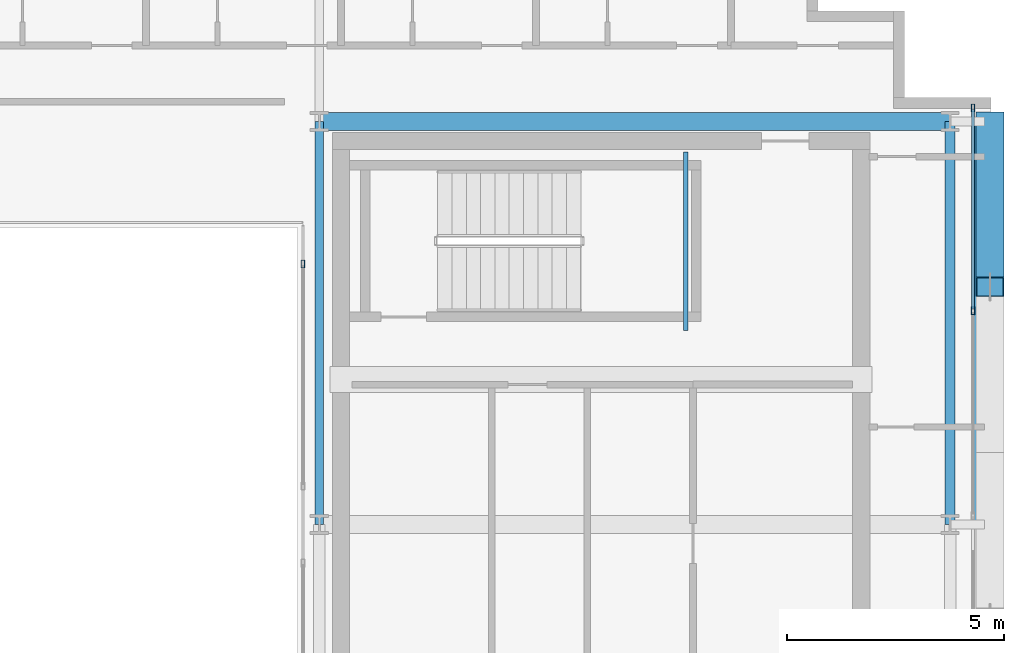
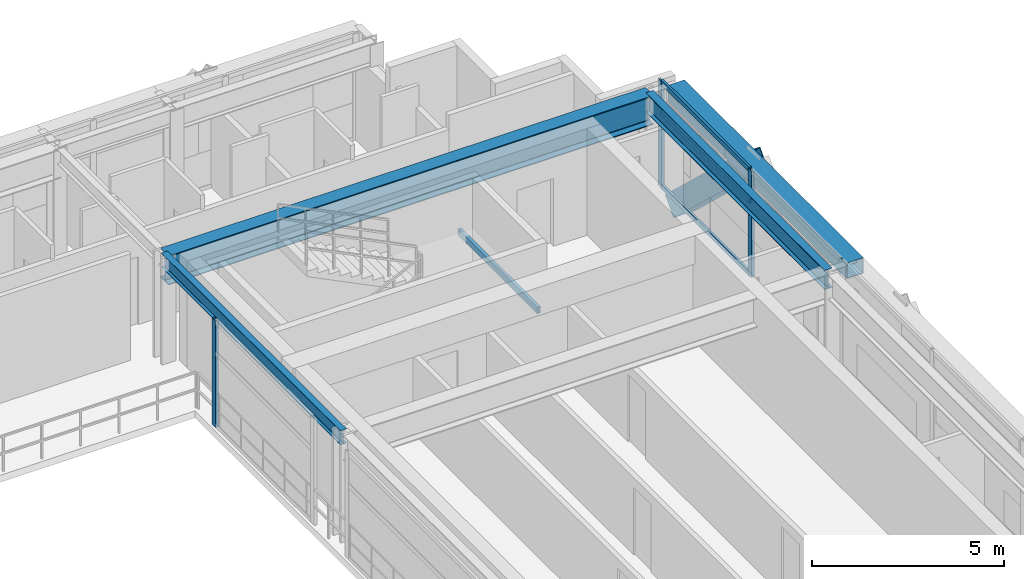
# One storey, part 14 of 29: 7 members, 5 beams, 2 elements without a shape of their own.
"""IFC4 building model written with IfcOpenShell, lengths in metres."""

from ifc_helpers import new_model, si_unit, direction, frame, origin, origin_2d, place, context, subcontext, project, spatial, hollow_rectangle, i_section, extrude, source, transform, mapped, material, layer, layer_set, material_profile, profile_set, type_object, element, aggregate, save


model = new_model("IFC4")

# Units and contexts
model_context = context("Model", 3, precision=1e-05, world=origin(), true_north=direction((0.0, 1.0)))
body_context = subcontext(model_context, "Body", "Model", "MODEL_VIEW")
ifc_project = project(units=[si_unit("LENGTHUNIT", "METRE"), si_unit("AREAUNIT", "SQUARE_METRE"), si_unit("VOLUMEUNIT", "CUBIC_METRE"), si_unit("PLANEANGLEUNIT", "RADIAN"), si_unit("MASSUNIT", "GRAM", prefix="KILO")], contexts=[model_context])

# Site, building, storey
site_placement = place(None, origin())
site = spatial("IfcSite", under=ifc_project, at=site_placement, CompositionType="ELEMENT")
building_placement = place(site_placement, origin())
building = spatial("IfcBuilding", under=site, at=building_placement, Name="Ocotamira Hotel", CompositionType="ELEMENT")
storey_placement = place(building_placement, frame((0.0, 0.0, 236.39990234375)))
storey = spatial("IfcBuildingStorey", under=building, at=storey_placement, Name="L59", CompositionType="ELEMENT", Elevation=236.39990234375)

# Beams
ifc_material_1 = material(Name="Steel ASTM A500 Grade C", Category="steel")
ifc_material_profile_1 = material_profile(ifc_material_1, hollow_rectangle(XDim=0.10009765625, YDim=0.199951171875, WallThickness=0.008056640625, at=origin_2d()), Name="HSS200X100X8")
ifc_profile_set_1 = profile_set([ifc_material_profile_1], Name="Steel ASTM A500 Grade C")
beam_type_1 = type_object("IfcBeamType", Name="BM-STLDG-HSS200", PredefinedType="BEAM", material=ifc_profile_set_1)
shared_shape_1 = source(origin(), body_context, "Body", "SweptSolid", [
    extrude(hollow_rectangle(XDim=0.10009765625, YDim=0.199951171875, WallThickness=0.008056640625, at=origin_2d()), origin(), (0.0, 0.0, 1.0), 4.1201171875),
])
beam_1_placement = place(storey_placement, frame((48.949951171875, 32.6298828125, 1.5), z_axis=(0.0, 1.0, 0.0), x_axis=(-1.0, 0.0, 0.0)))
element("IfcBeam", 1, at=beam_1_placement, inside=storey, type_object=beam_type_1, Name="L59 Stair ST-4 Landing Bearer 1", PredefinedType="BEAM", context=body_context, shape_type="MappedRepresentation", body=[
    mapped(shared_shape_1, transform((0.0, 0.0, 0.0), scale=1.0)),
])
ifc_material_2 = material(Name="Steel ASTM A992 Grade 50", Category="steel")
ifc_material_profile_2 = material_profile(ifc_material_2, i_section(OverallWidth=0.41796875, OverallDepth=0.927001953125, WebThickness=0.019287109375, FlangeThickness=0.031982421875, FilletRadius=0.02392578125, at=origin_2d()), Name="W36X231")
ifc_profile_set_2 = profile_set([ifc_material_profile_2], Name="Steel ASTM A992 Grade 50")
beam_type_2 = type_object("IfcBeamType", Name="BM-GIRD-W36X231", PredefinedType="BEAM", material=ifc_profile_set_2)
shared_shape_2 = source(origin(), body_context, "Body", "SweptSolid", [
    extrude(i_section(OverallWidth=0.41796875, OverallDepth=0.927001953125, WebThickness=0.019287109375, FlangeThickness=0.031982421875, FilletRadius=0.02392578125, at=origin_2d()), origin(), (0.0, 0.0, 1.0), 14.550048828125),
])
beam_2_placement = place(storey_placement, frame((40.5, 37.449951171875, 2.91650390625), z_axis=(1.0, 0.0, 0.0), x_axis=(0.0, 1.0, 0.0)))
element("IfcBeam", 2, at=beam_2_placement, inside=storey, type_object=beam_type_2, Name="L59 Girder Y37.45 X40.5-55.05", PredefinedType="BEAM", context=body_context, shape_type="MappedRepresentation", body=[
    mapped(shared_shape_2, transform((0.0, 0.0, 0.0), scale=1.0)),
])
ifc_material_profile_3 = material_profile(ifc_material_2, i_section(OverallWidth=0.22998046875, OverallDepth=0.616943359375, WebThickness=0.01318359375, FlangeThickness=0.022216796875, FilletRadius=0.012939453125, at=origin_2d()), Name="W24X94")
ifc_profile_set_3 = profile_set([ifc_material_profile_3], Name="Steel ASTM A992 Grade 50")
beam_type_3 = type_object("IfcBeamType", Name="BM-PRIM-W24X94", PredefinedType="BEAM", material=ifc_profile_set_3)
shared_shape_3 = source(origin(), body_context, "Body", "SweptSolid", [
    extrude(i_section(OverallWidth=0.22998046875, OverallDepth=0.616943359375, WebThickness=0.01318359375, FlangeThickness=0.022216796875, FilletRadius=0.012939453125, at=origin_2d()), origin(), (0.0, 0.0, 1.0), 9.300048828125),
])
beam_3_placement = place(storey_placement, frame((55.050048828125, 28.14990234375, 3.071533203125), z_axis=(0.0, 1.0, 0.0), x_axis=(-1.0, 0.0, 0.0)))
element("IfcBeam", 3, at=beam_3_placement, inside=storey, type_object=beam_type_3, Name="L59 Beam X55.05 Y28.15-37.45", PredefinedType="BEAM", context=body_context, shape_type="MappedRepresentation", body=[
    mapped(shared_shape_3, transform((0.0, 0.0, 0.0), scale=1.0)),
])
ifc_material_profile_4 = material_profile(ifc_material_2, i_section(OverallWidth=0.18994140625, OverallDepth=0.45703125, WebThickness=0.009033203125, FlangeThickness=0.014404296875, FilletRadius=0.010009765625, at=origin_2d()), Name="W18X50")
ifc_profile_set_4 = profile_set([ifc_material_profile_4], Name="Steel ASTM A992 Grade 50")
beam_type_4 = type_object("IfcBeamType", Name="BM-SEC-W18X50", PredefinedType="JOIST", material=ifc_profile_set_4)
shared_shape_4 = source(origin(), body_context, "Body", "SweptSolid", [
    extrude(i_section(OverallWidth=0.18994140625, OverallDepth=0.45703125, WebThickness=0.009033203125, FlangeThickness=0.014404296875, FilletRadius=0.010009765625, at=origin_2d()), origin(), (0.0, 0.0, 1.0), 9.300048828125),
])
beam_4_placement = place(storey_placement, frame((40.5, 28.14990234375, 3.151611328125), z_axis=(0.0, 1.0, 0.0), x_axis=(-1.0, 0.0, 0.0)))
element("IfcBeam", 4, at=beam_4_placement, inside=storey, type_object=beam_type_4, Name="L59 Beam X40.5 Y28.15-37.45", PredefinedType="JOIST", context=body_context, shape_type="MappedRepresentation", body=[
    mapped(shared_shape_4, transform((0.0, 0.0, 0.0), scale=1.0)),
])
ifc_material_profile_5 = material_profile(ifc_material_1, hollow_rectangle(XDim=0.5, YDim=0.5, WallThickness=0.02001953125, at=origin_2d()), Name="HSS500X500X20")
ifc_profile_set_5 = profile_set([ifc_material_profile_5], Name="Steel ASTM A500 Grade C")
beam_type_5 = type_object("IfcBeamType", Name="BM-SPAN-HSS500", PredefinedType="USERDEFINED", material=ifc_profile_set_5)
shared_shape_5 = source(origin(), body_context, "Body", "SweptSolid", [
    extrude(hollow_rectangle(XDim=0.5, YDim=0.5, WallThickness=0.02001953125, at=origin_2d()), origin(), (0.0, 0.0, 1.0), 9.300048828125),
])
beam_5_placement = place(storey_placement, frame((55.85009765625, 28.14990234375, 3.130126953125), z_axis=(0.0, 1.0, 0.0), x_axis=(-1.0, 0.0, 0.0)))
element("IfcBeam", 5, at=beam_5_placement, inside=storey, type_object=beam_type_5, Name="L59 Edge Spandrel E Y28.15-37.45", ObjectType="SPANDREL", PredefinedType="USERDEFINED", context=body_context, shape_type="MappedRepresentation", body=[
    mapped(shared_shape_5, transform((0.0, 0.0, 0.0), scale=1.0)),
])

# Member
ifc_material_3 = material(Name="Pale-metal coated steel ASTM A913 Grade 65", Category="steel")
ifc_material_profile_6 = material_profile(ifc_material_3, hollow_rectangle(XDim=0.64990234375, YDim=0.64990234375, WallThickness=0.02197265625, at=origin_2d()), Name="BOX650X650X22")
ifc_profile_set_6 = profile_set([ifc_material_profile_6], Name="Pale-metal coated steel ASTM A913 Grade 65")
member_type_1 = type_object("IfcMemberType", Name="MEM-EXO-BOX650", PredefinedType="BRACE", material=ifc_profile_set_6)
shared_shape_6 = source(origin(), body_context, "Body", "SweptSolid", [
    extrude(hollow_rectangle(XDim=0.64990234375, YDim=0.64990234375, WallThickness=0.02197265625, at=origin_2d()), origin(), (0.0, 0.0, 1.0), 5.24658203125),
])
member_1_placement = place(storey_placement, frame((55.969970703125, 37.449951171875, -0.469970703125), z_axis=(0.0, -0.727442733726, 0.686168397078), x_axis=(1.0, 0.0, 0.0)))
element("IfcMember", 6, at=member_1_placement, inside=storey, type_object=member_type_1, Name="L59 Exoskeleton Diagrid E2.2", PredefinedType="BRACE", context=body_context, shape_type="MappedRepresentation", body=[
    mapped(shared_shape_6, transform((0.0, 0.0, 0.0), scale=1.0)),
])

# Curtain wall, members
ifc_material_4 = material(Name="Anodised pale-metal aluminium and solar glass", Category="aluminium")
ifc_layer_1 = layer(ifc_material_4, 0.239990234375)
ifc_layer_set_1 = layer_set([ifc_layer_1], Name="Anodised pale-metal aluminium and solar glass")
curtain_wall_type_1 = type_object("IfcCurtainWallType", Name="CW-SYS5-SKY", PredefinedType="NOTDEFINED", material=ifc_layer_set_1)
curtain_wall_1_placement = place(storey_placement, origin())
curtain_wall_1 = element("IfcCurtainWall", 7, at=curtain_wall_1_placement, inside=storey, type_object=curtain_wall_type_1, Name="L59 Curtain Wall CW-5 CW-L59-E", PredefinedType="NOTDEFINED")
ifc_material_5 = material(Name="Anodised pale-metal aluminium 6063-T6", Category="aluminium")
ifc_material_profile_7 = material_profile(ifc_material_5, hollow_rectangle(XDim=0.074951171875, YDim=0.14990234375, WallThickness=0.006103515625, at=origin_2d()), Name="HSS150X75X6")
ifc_profile_set_7 = profile_set([ifc_material_profile_7], Name="Anodised pale-metal aluminium 6063-T6")
member_type_2 = type_object("IfcMemberType", Name="CWT-150X75", PredefinedType="USERDEFINED", material=ifc_profile_set_7)
shared_shape_7 = source(origin(), body_context, "Body", "SweptSolid", [
    extrude(hollow_rectangle(XDim=0.074951171875, YDim=0.14990234375, WallThickness=0.006103515625, at=origin_2d()), origin(), (0.0, 0.0, 1.0), 4.599853515625),
])
member_2_placement = place(storey_placement, frame((55.580078125, 33.1201171875, 0.03759765625), z_axis=(0.0, 1.0, 0.0), x_axis=(-1.0, 0.0, 0.0)))
member_2 = element("IfcMember", 8, at=member_2_placement, type_object=member_type_2, Name="CW-5 transom 5.1", ObjectType="TRANSOM", PredefinedType="USERDEFINED", context=body_context, shape_type="MappedRepresentation", body=[
    mapped(shared_shape_7, transform((0.0, 0.0, 0.0), scale=1.0)),
])
member_3_placement = place(storey_placement, frame((55.580078125, 33.1201171875, 2.35009765625), z_axis=(0.0, 1.0, 0.0), x_axis=(-1.0, 0.0, 0.0)))
member_3 = element("IfcMember", 9, at=member_3_placement, type_object=member_type_2, Name="CW-5 transom 5.2", ObjectType="TRANSOM", PredefinedType="USERDEFINED", context=body_context, shape_type="MappedRepresentation", body=[
    mapped(shared_shape_7, transform((0.0, 0.0, 0.0), scale=1.0)),
])
member_4_placement = place(storey_placement, frame((55.580078125, 33.1201171875, 3.342529296875), z_axis=(0.0, 1.0, 0.0), x_axis=(-1.0, 0.0, 0.0)))
member_4 = element("IfcMember", 10, at=member_4_placement, type_object=member_type_2, Name="CW-5 transom 5.3", ObjectType="TRANSOM", PredefinedType="USERDEFINED", context=body_context, shape_type="MappedRepresentation", body=[
    mapped(shared_shape_7, transform((0.0, 0.0, 0.0), scale=1.0)),
])
ifc_material_profile_8 = material_profile(ifc_material_5, hollow_rectangle(XDim=0.080078125, YDim=0.179931640625, WallThickness=0.006103515625, at=origin_2d()), Name="HSS180X80X6")
ifc_profile_set_8 = profile_set([ifc_material_profile_8], Name="Anodised pale-metal aluminium 6063-T6")
member_type_3 = type_object("IfcMemberType", Name="CWM-180X75", PredefinedType="MULLION", material=ifc_profile_set_8)
shared_shape_8 = source(origin(), body_context, "Body", "SweptSolid", [
    extrude(hollow_rectangle(XDim=0.080078125, YDim=0.179931640625, WallThickness=0.006103515625, at=origin_2d()), origin(), (0.0, 0.0, 1.0), 3.380126953125),
])
member_5_placement = place(storey_placement, frame((55.580078125, 33.080078125, 0.0), z_axis=(0.0, 0.0, 1.0), x_axis=(-1.0, 0.0, 0.0)))
member_5 = element("IfcMember", 11, at=member_5_placement, type_object=member_type_3, Name="CW-5 mullion 5", PredefinedType="MULLION", context=body_context, shape_type="MappedRepresentation", body=[
    mapped(shared_shape_8, transform((0.0, 0.0, 0.0), scale=1.0)),
])
member_6_placement = place(storey_placement, frame((55.580078125, 37.760009765625, 0.0), z_axis=(0.0, 0.0, 1.0), x_axis=(-1.0, 0.0, 0.0)))
member_6 = element("IfcMember", 12, at=member_6_placement, type_object=member_type_3, Name="CW-5 mullion 6", PredefinedType="MULLION", context=body_context, shape_type="MappedRepresentation", body=[
    mapped(shared_shape_8, transform((0.0, 0.0, 0.0), scale=1.0)),
])
aggregate(curtain_wall_1, [member_5, member_6, member_2, member_3, member_4])

# Curtain wall, member
ifc_layer_2 = layer(ifc_material_4, 0.159912109375)
ifc_layer_set_2 = layer_set([ifc_layer_2], Name="Anodised pale-metal aluminium and solar glass")
curtain_wall_type_2 = type_object("IfcCurtainWallType", Name="CW-SYS6-ATR", PredefinedType="NOTDEFINED", material=ifc_layer_set_2)
curtain_wall_2_placement = place(storey_placement, origin())
curtain_wall_2 = element("IfcCurtainWall", 13, at=curtain_wall_2_placement, inside=storey, type_object=curtain_wall_type_2, Name="L59 Curtain Wall CW-6 CW-L59-ATRE2", PredefinedType="NOTDEFINED")
member_7_placement = place(storey_placement, frame((40.1201171875, 34.159912109375, 0.0), z_axis=(0.0, 0.0, 1.0), x_axis=(-1.0, 0.0, 0.0)))
member_7 = element("IfcMember", 14, at=member_7_placement, type_object=member_type_3, Name="CW-6 mullion 2", PredefinedType="MULLION", context=body_context, shape_type="MappedRepresentation", body=[
    mapped(shared_shape_8, transform((0.0, 0.0, 0.0), scale=1.0)),
])
aggregate(curtain_wall_2, [member_7])

save(model, "model.ifc")
